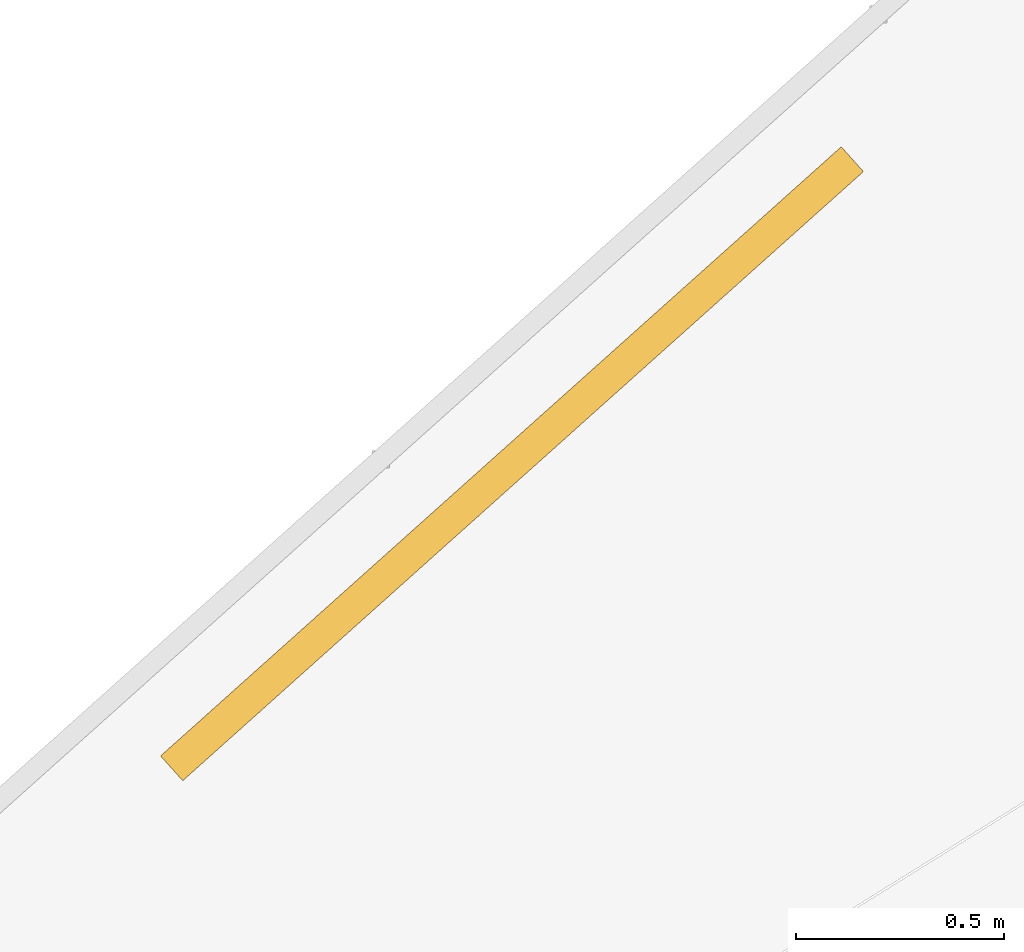
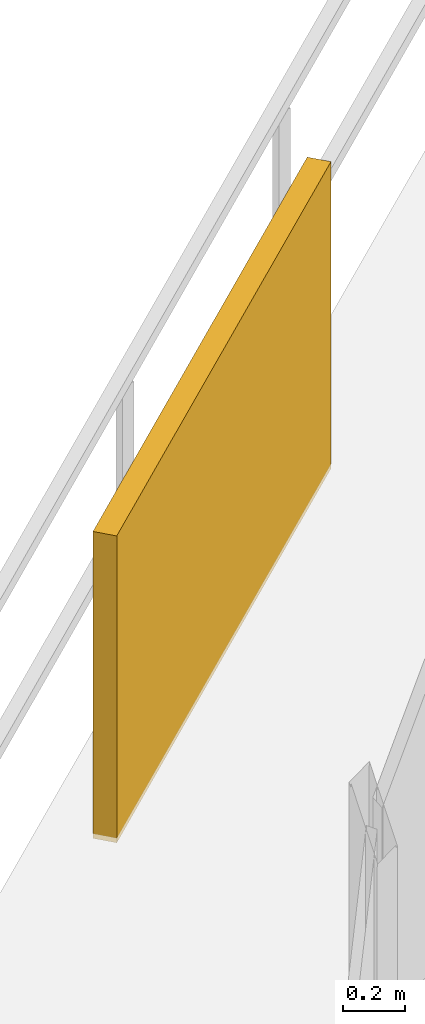
# One storey, part 29 of 30: 1 shading device.
"""IFC4 building model written with IfcOpenShell, lengths in metres."""

from ifc_helpers import new_model, si_unit, direction, frame, origin, origin_2d, place, context, subcontext, project, spatial, rectangle, extrude, material, type_object, element, save


model = new_model("IFC4")

# Units and contexts
model_context = context("Model", 3, precision=1e-05, world=origin(), true_north=direction((0.0, 1.0)))
body_context = subcontext(model_context, "Body", "Model", "MODEL_VIEW")
ifc_project = project(units=[si_unit("LENGTHUNIT", "METRE"), si_unit("AREAUNIT", "SQUARE_METRE"), si_unit("VOLUMEUNIT", "CUBIC_METRE"), si_unit("PLANEANGLEUNIT", "RADIAN"), si_unit("MASSUNIT", "GRAM", prefix="KILO")], contexts=[model_context])

# Site, building, storey
site_placement = place(None, origin())
site = spatial("IfcSite", under=ifc_project, at=site_placement, CompositionType="ELEMENT")
building_placement = place(site_placement, origin())
building = spatial("IfcBuilding", under=site, at=building_placement, Name="Vorneva Point Tower", CompositionType="ELEMENT")
storey_placement = place(building_placement, frame((0.0, 0.0, 153.60009765625)))
storey = spatial("IfcBuildingStorey", under=building, at=storey_placement, Name="L41", CompositionType="ELEMENT", Elevation=153.60009765625)

# Shading device
ifc_material = material(Name="Pale anodised aluminium", Category="aluminium")
shading_device_type = type_object("IfcShadingDeviceType", Name="SHD-JAL-1200", PredefinedType="JALOUSIE", material=ifc_material)
shading_device_placement = place(storey_placement, frame((21.1162109375, 41.42138671875, -0.02001953125), z_axis=(0.0, 0.0, 1.0), x_axis=(-0.745173460098, -0.666870687889, 0.0)))
element("IfcShadingDevice", 1, at=shading_device_placement, inside=storey, type_object=shading_device_type, Name="L41 Balcony Vertical-Greenery Planter Screen NW.2", PredefinedType="JALOUSIE", context=body_context, shape_type="SweptSolid", body=[
    extrude(rectangle(XDim=2.199951171875, YDim=0.080078125, at=origin_2d()), origin(), (0.0, 0.0, 1.0), 1.199951171875),
])

save(model, "model.ifc")
